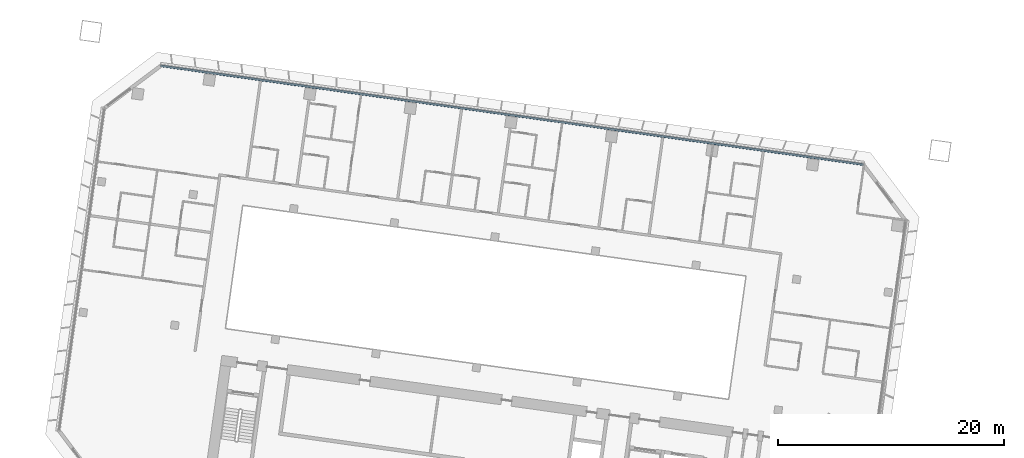
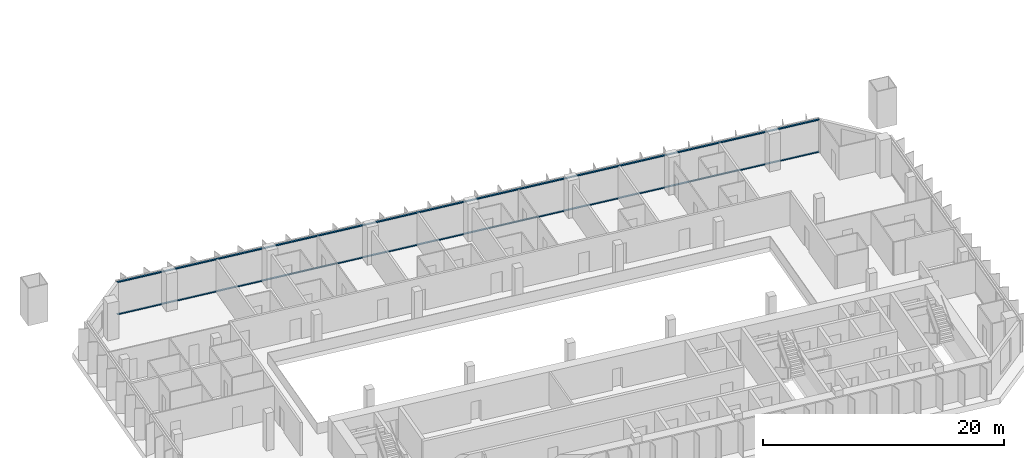
# One storey, part 4 of 25: 2 members, 1 element without a shape of its own.
"""IFC4 building model written with IfcOpenShell, lengths in metres."""

from ifc_helpers import new_model, si_unit, direction, frame, origin, origin_2d, place, context, subcontext, project, spatial, rectangle, extrude, material, material_profile, profile_set, type_object, element, aggregate, save


model = new_model("IFC4")

# Units and contexts
model_context = context("Model", 3, precision=1e-05, world=origin(), true_north=direction((0.0, 1.0)))
body_context = subcontext(model_context, "Body", "Model", "MODEL_VIEW")
ifc_project = project(units=[si_unit("LENGTHUNIT", "METRE"), si_unit("AREAUNIT", "SQUARE_METRE"), si_unit("VOLUMEUNIT", "CUBIC_METRE"), si_unit("PLANEANGLEUNIT", "RADIAN"), si_unit("MASSUNIT", "GRAM", prefix="KILO")], contexts=[model_context])

# Site, building, storey
site_placement = place(None, origin())
site = spatial("IfcSite", under=ifc_project, at=site_placement, CompositionType="ELEMENT")
building_placement = place(site_placement, origin())
building = spatial("IfcBuilding", under=site, at=building_placement, Name="Mirante Cascada Hotel Towers", CompositionType="ELEMENT")
storey_placement = place(building_placement, frame((0.0, 0.0, 58.5)))
storey = spatial("IfcBuildingStorey", under=building, at=storey_placement, Name="L11", CompositionType="ELEMENT", Elevation=58.5)

# Curtain wall, members
ifc_material_1 = material(Name="Aluminium mullion and transom frame with clear laminated glass", Category="aluminium")
curtain_wall_type = type_object("IfcCurtainWallType", Name="Ribbon curtain wall ECW1", PredefinedType="NOTDEFINED", material=ifc_material_1)
curtain_wall_placement = place(storey_placement, origin())
curtain_wall = element("IfcCurtainWall", 1, at=curtain_wall_placement, inside=storey, type_object=curtain_wall_type, Name="Front ribbon wall T1 L11", PredefinedType="NOTDEFINED")
ifc_material_2 = material(Name="Anodised aluminium extrusion", Category="aluminium")
ifc_material_profile = material_profile(ifc_material_2, rectangle(XDim=0.16, YDim=0.1, at=origin_2d()), Name="ECW1 TRANSOM 100x160")
ifc_profile_set = profile_set([ifc_material_profile], Name="Anodised aluminium extrusion")
member_type = type_object("IfcMemberType", Name="ECW1 transom 100x160", PredefinedType="USERDEFINED", material=ifc_profile_set)
member_1_placement = place(storey_placement, frame((-94.1582, 26.0521, 0.05), z_axis=(0.9902681, -0.1391728, 0.0), x_axis=(0.1391728, 0.9902681, 0.0)))
member_1 = element("IfcMember", 2, at=member_1_placement, type_object=member_type, Name="ECW1 sill transom", ObjectType="TRANSOM", PredefinedType="USERDEFINED", context=body_context, shape_type="SweptSolid", body=[
    extrude(rectangle(XDim=0.16, YDim=0.1, at=origin_2d()), origin(), (0.0, 0.0, 1.0), 62.8758),
])
member_2_placement = place(storey_placement, frame((-94.1582, 26.0521, 3.3), z_axis=(0.9902681, -0.1391728, 0.0), x_axis=(0.1391728, 0.9902681, 0.0)))
member_2 = element("IfcMember", 3, at=member_2_placement, type_object=member_type, Name="ECW1 head transom", ObjectType="TRANSOM", PredefinedType="USERDEFINED", context=body_context, shape_type="SweptSolid", body=[
    extrude(rectangle(XDim=0.16, YDim=0.1, at=origin_2d()), origin(), (0.0, 0.0, 1.0), 62.8758),
])
aggregate(curtain_wall, [member_1, member_2])

save(model, "model.ifc")
